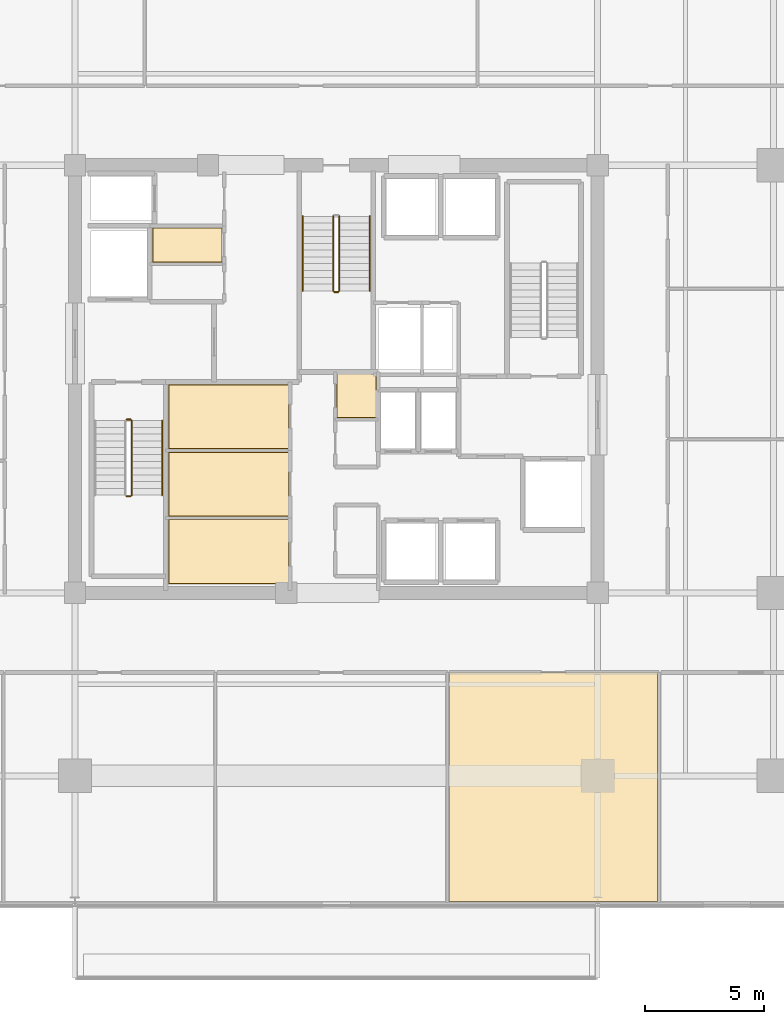
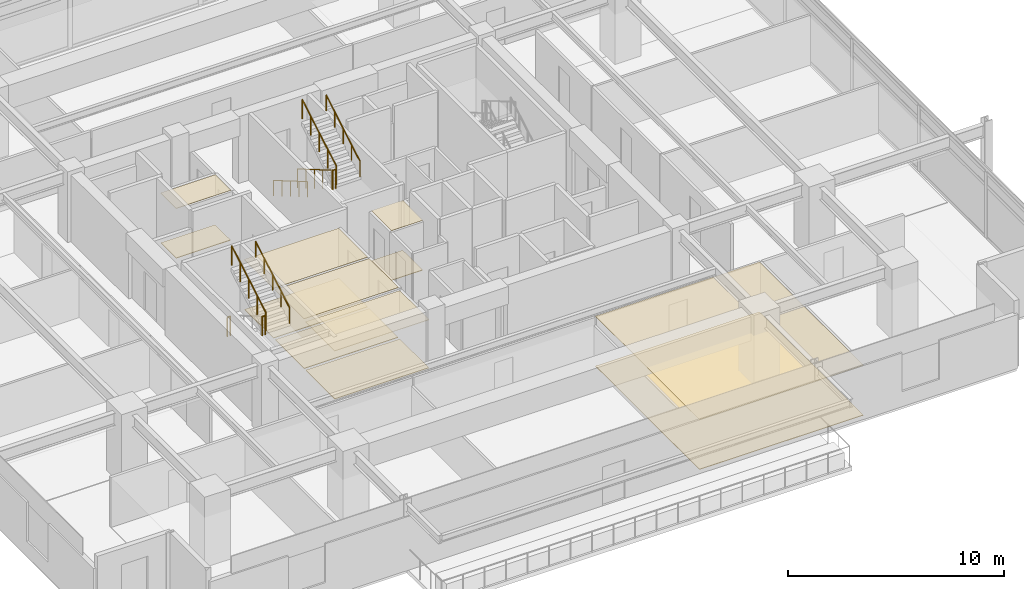
# One storey, part 20 of 23: 12 coverings, 9 railings.
"""IFC4 building model written with IfcOpenShell, lengths in metres."""

from ifc_helpers import new_model, si_unit, direction, frame, origin, origin_2d, place, context, subcontext, project, spatial, polyline, circle, outline, extrude, material, layer, layer_set, type_object, element, save


model = new_model("IFC4")

# Units and contexts
model_context = context("Model", 3, precision=1e-05, world=origin(), true_north=direction((0.0, 1.0)))
body_context = subcontext(model_context, "Body", "Model", "MODEL_VIEW")
ifc_project = project(units=[si_unit("LENGTHUNIT", "METRE"), si_unit("AREAUNIT", "SQUARE_METRE"), si_unit("VOLUMEUNIT", "CUBIC_METRE"), si_unit("PLANEANGLEUNIT", "RADIAN"), si_unit("MASSUNIT", "GRAM", prefix="KILO")], contexts=[model_context])

# Site, building, storey
site_placement = place(None, origin())
site = spatial("IfcSite", under=ifc_project, at=site_placement, CompositionType="ELEMENT")
building_placement = place(site_placement, origin())
building = spatial("IfcBuilding", under=site, at=building_placement, Name="Kovane Verandah Tower", CompositionType="ELEMENT")
storey_placement = place(building_placement, frame((0.0, 0.0, 221.199951171875)))
storey = spatial("IfcBuildingStorey", under=building, at=storey_placement, Name="L51", CompositionType="ELEMENT", Elevation=221.199951171875)

# Coverings
ifc_material_1 = material(Name="Perforated Acoustic Mineral-Fibre Ceiling Tile", Category="gypsum")
ifc_layer_1 = layer(ifc_material_1, 0.02490234375)
ifc_layer_set_1 = layer_set([ifc_layer_1], Name="Perforated Acoustic Mineral-Fibre Ceiling Tile")
covering_type_1 = type_object("IfcCoveringType", Name="CV-CEIL-25", PredefinedType="CEILING", material=ifc_layer_set_1)
covering_1_placement = place(storey_placement, frame((0.0, 0.0, 2.72998046875)))
element("IfcCovering", 1, at=covering_1_placement, inside=storey, type_object=covering_type_1, Name="L51 Project Archive Room Acoustic Ceiling", PredefinedType="CEILING", context=body_context, shape_type="SweptSolid", body=[
    extrude(outline(polyline([(32.93505859375, 18.885009765625), (37.9951171875, 18.885009765625), (37.9951171875, 21.594970703125), (32.93505859375, 21.594970703125), (32.93505859375, 18.885009765625)])), origin(), (0.0, 0.0, 1.0), 0.025146484375),
])
covering_2_placement = place(storey_placement, frame((0.0, 0.0, 2.824951171875)))
element("IfcCovering", 2, at=covering_2_placement, inside=storey, type_object=covering_type_1, Name="L51 First Aid and Wellness Room Acoustic Ceiling", PredefinedType="CEILING", context=body_context, shape_type="SweptSolid", body=[
    extrude(outline(polyline([(32.93505859375, 21.72509765625), (37.9951171875, 21.72509765625), (37.9951171875, 24.43505859375), (32.93505859375, 24.43505859375), (32.93505859375, 21.72509765625)])), origin(), (0.0, 0.0, 1.0), 0.025146484375),
])
covering_3_placement = place(storey_placement, frame((0.0, 0.0, 2.824951171875)))
element("IfcCovering", 3, at=covering_3_placement, inside=storey, type_object=covering_type_1, Name="L51 Tea and Copy Hub Acoustic Ceiling", PredefinedType="CEILING", context=body_context, shape_type="SweptSolid", body=[
    extrude(outline(polyline([(32.93505859375, 24.56494140625), (37.9951171875, 24.56494140625), (37.9951171875, 27.264892578125), (32.93505859375, 27.264892578125), (32.93505859375, 24.56494140625)])), origin(), (0.0, 0.0, 1.0), 0.025146484375),
])
covering_4_placement = place(storey_placement, frame((0.0, 0.0, 2.824951171875)))
element("IfcCovering", 4, at=covering_4_placement, inside=storey, type_object=covering_type_1, Name="L51 North-West First Aid Room Acoustic Ceiling", PredefinedType="CEILING", context=body_context, shape_type="SweptSolid", body=[
    extrude(outline(polyline([(32.264892578125, 32.4150390625), (35.195068359375, 32.4150390625), (35.195068359375, 33.864990234375), (32.264892578125, 33.864990234375), (32.264892578125, 32.4150390625)])), origin(), (0.0, 0.0, 1.0), 0.025146484375),
])
covering_5_placement = place(storey_placement, frame((0.0, 0.0, 2.824951171875)))
element("IfcCovering", 5, at=covering_5_placement, inside=storey, type_object=covering_type_1, Name="L51 Central First Aid and Wellness Room Acoustic Ceiling", PredefinedType="CEILING", context=body_context, shape_type="SweptSolid", body=[
    extrude(outline(polyline([(40.0048828125, 25.864990234375), (41.695068359375, 25.864990234375), (41.695068359375, 27.735107421875), (40.0048828125, 27.735107421875), (40.0048828125, 25.864990234375)])), origin(), (0.0, 0.0, 1.0), 0.025146484375),
])
covering_6_placement = place(storey_placement, frame((0.0, 0.0, 2.824951171875)))
element("IfcCovering", 6, at=covering_6_placement, inside=storey, type_object=covering_type_1, Name="L51 Open Plan Office S4 Acoustic Ceiling", PredefinedType="CEILING", context=body_context, shape_type="SweptSolid", body=[
    extrude(outline(polyline([(44.740966796875, 5.509521484375), (53.51806640625, 5.509521484375), (53.51806640625, 15.14990234375), (44.740966796875, 15.14990234375), (44.740966796875, 5.509521484375)])), origin(), (0.0, 0.0, 1.0), 0.025146484375),
])
ifc_material_2 = material(Name="Polished Terrazzo and Raised-Access Carpet Tile Finish", Category="concrete")
ifc_layer_2 = layer(ifc_material_2, 0.030029296875)
ifc_layer_set_2 = layer_set([ifc_layer_2], Name="Polished Terrazzo and Raised-Access Carpet Tile Finish")
covering_type_2 = type_object("IfcCoveringType", Name="CV-FLOR-30", PredefinedType="FLOORING", material=ifc_layer_set_2)
covering_7_placement = place(storey_placement, origin())
element("IfcCovering", 7, at=covering_7_placement, inside=storey, type_object=covering_type_2, Name="L51 Project Archive Room Floor Finish", PredefinedType="FLOORING", context=body_context, shape_type="SweptSolid", body=[
    extrude(outline(polyline([(32.949951171875, 18.89990234375), (37.97998046875, 18.89990234375), (37.97998046875, 21.580078125), (32.949951171875, 21.580078125), (32.949951171875, 18.89990234375)])), origin(), (0.0, 0.0, 1.0), 0.030029296875),
])
covering_8_placement = place(storey_placement, origin())
element("IfcCovering", 8, at=covering_8_placement, inside=storey, type_object=covering_type_2, Name="L51 First Aid and Wellness Room Floor Finish", PredefinedType="FLOORING", context=body_context, shape_type="SweptSolid", body=[
    extrude(outline(polyline([(32.949951171875, 21.739990234375), (37.97998046875, 21.739990234375), (37.97998046875, 24.419921875), (32.949951171875, 24.419921875), (32.949951171875, 21.739990234375)])), origin(), (0.0, 0.0, 1.0), 0.030029296875),
])
covering_9_placement = place(storey_placement, origin())
element("IfcCovering", 9, at=covering_9_placement, inside=storey, type_object=covering_type_2, Name="L51 Tea and Copy Hub Floor Finish", PredefinedType="FLOORING", context=body_context, shape_type="SweptSolid", body=[
    extrude(outline(polyline([(32.949951171875, 24.580078125), (37.97998046875, 24.580078125), (37.97998046875, 27.25), (32.949951171875, 27.25), (32.949951171875, 24.580078125)])), origin(), (0.0, 0.0, 1.0), 0.030029296875),
])
covering_10_placement = place(storey_placement, origin())
element("IfcCovering", 10, at=covering_10_placement, inside=storey, type_object=covering_type_2, Name="L51 North-West First Aid Room Floor Finish", PredefinedType="FLOORING", context=body_context, shape_type="SweptSolid", body=[
    extrude(outline(polyline([(32.280029296875, 32.429931640625), (35.179931640625, 32.429931640625), (35.179931640625, 33.85009765625), (32.280029296875, 33.85009765625), (32.280029296875, 32.429931640625)])), origin(), (0.0, 0.0, 1.0), 0.030029296875),
])
covering_11_placement = place(storey_placement, origin())
element("IfcCovering", 11, at=covering_11_placement, inside=storey, type_object=covering_type_2, Name="L51 Central First Aid and Wellness Room Floor Finish", PredefinedType="FLOORING", context=body_context, shape_type="SweptSolid", body=[
    extrude(outline(polyline([(40.02001953125, 25.8798828125), (41.679931640625, 25.8798828125), (41.679931640625, 27.719970703125), (40.02001953125, 27.719970703125), (40.02001953125, 25.8798828125)])), origin(), (0.0, 0.0, 1.0), 0.030029296875),
])
covering_12_placement = place(storey_placement, origin())
element("IfcCovering", 12, at=covering_12_placement, inside=storey, type_object=covering_type_2, Name="L51 Open Plan Office S4 Floor Finish", PredefinedType="FLOORING", context=body_context, shape_type="SweptSolid", body=[
    extrude(outline(polyline([(44.740966796875, 5.509521484375), (53.51806640625, 5.509521484375), (53.51806640625, 15.14990234375), (44.740966796875, 15.14990234375), (44.740966796875, 5.509521484375)])), origin(), (0.0, 0.0, 1.0), 0.030029296875),
])

# Railings
ifc_material_3 = material(Name="Brushed Stainless Steel Handrail", Category="steel")
railing_type_1 = type_object("IfcRailingType", Name="RL-HAND-920", PredefinedType="HANDRAIL", material=ifc_material_3)
railing_1_placement = place(storey_placement, frame((32.669921875, 22.614990234375, 2.166748046875)))
element("IfcRailing", 13, at=railing_1_placement, inside=storey, type_object=railing_type_1, Name="L51 ST-01 stair handrail 2", PredefinedType="HANDRAIL", context=body_context, shape_type="SweptSolid", body=[
    extrude(circle(Radius=0.02392578125, at=origin_2d()), frame((0.0, 0.0, 0.8759765625), z_axis=(0.0, 0.863239559939, 0.504794475164), x_axis=(-1.0, 0.0, 0.0)), (0.0, 0.0, 1.0), 3.631591796875),
    extrude(circle(Radius=0.02099609375, at=origin_2d()), origin(), (0.0, 0.0, 1.0), 0.851806640625),
    extrude(circle(Radius=0.02099609375, at=origin_2d()), frame((0.0, 0.78369140625, 0.458251953125)), (0.0, 0.0, 1.0), 0.851806640625),
    extrude(circle(Radius=0.02099609375, at=origin_2d()), frame((0.0, 1.5673828125, 0.91650390625)), (0.0, 0.0, 1.0), 0.851806640625),
    extrude(circle(Radius=0.02099609375, at=origin_2d()), frame((0.0, 2.351318359375, 1.375)), (0.0, 0.0, 1.0), 0.851806640625),
    extrude(circle(Radius=0.02099609375, at=origin_2d()), frame((0.0, 3.135009765625, 1.833251953125)), (0.0, 0.0, 1.0), 0.851806640625),
])
railing_2_placement = place(storey_placement, frame((38.590087890625, 34.35009765625, 0.166748046875)))
element("IfcRailing", 14, at=railing_2_placement, inside=storey, type_object=railing_type_1, Name="L51 ST-03 stair handrail 1", PredefinedType="HANDRAIL", context=body_context, shape_type="SweptSolid", body=[
    extrude(circle(Radius=0.02392578125, at=origin_2d()), frame((0.0, 0.0, 0.8759765625), z_axis=(0.0, -0.863239559939, 0.504794475164), x_axis=(1.0, 0.0, 0.0)), (0.0, 0.0, 1.0), 3.631591796875),
    extrude(circle(Radius=0.02099609375, at=origin_2d()), origin(), (0.0, 0.0, 1.0), 0.851806640625),
    extrude(circle(Radius=0.02099609375, at=origin_2d()), frame((0.0, -0.78369140625, 0.458251953125)), (0.0, 0.0, 1.0), 0.851806640625),
    extrude(circle(Radius=0.02099609375, at=origin_2d()), frame((0.0, -1.5673828125, 0.91650390625)), (0.0, 0.0, 1.0), 0.851806640625),
    extrude(circle(Radius=0.02099609375, at=origin_2d()), frame((0.0, -2.351318359375, 1.375)), (0.0, 0.0, 1.0), 0.851806640625),
    extrude(circle(Radius=0.02099609375, at=origin_2d()), frame((0.0, -3.135009765625, 1.833251953125)), (0.0, 0.0, 1.0), 0.851806640625),
])
railing_3_placement = place(storey_placement, frame((41.409912109375, 31.215087890625, 2.166748046875)))
element("IfcRailing", 15, at=railing_3_placement, inside=storey, type_object=railing_type_1, Name="L51 ST-03 stair handrail 2", PredefinedType="HANDRAIL", context=body_context, shape_type="SweptSolid", body=[
    extrude(circle(Radius=0.02392578125, at=origin_2d()), frame((0.0, 0.0, 0.8759765625), z_axis=(0.0, 0.863239559939, 0.504794475164), x_axis=(-1.0, 0.0, 0.0)), (0.0, 0.0, 1.0), 3.631591796875),
    extrude(circle(Radius=0.02099609375, at=origin_2d()), origin(), (0.0, 0.0, 1.0), 0.851806640625),
    extrude(circle(Radius=0.02099609375, at=origin_2d()), frame((0.0, 0.78369140625, 0.458251953125)), (0.0, 0.0, 1.0), 0.851806640625),
    extrude(circle(Radius=0.02099609375, at=origin_2d()), frame((0.0, 1.5673828125, 0.91650390625)), (0.0, 0.0, 1.0), 0.851806640625),
    extrude(circle(Radius=0.02099609375, at=origin_2d()), frame((0.0, 2.351318359375, 1.375)), (0.0, 0.0, 1.0), 0.851806640625),
    extrude(circle(Radius=0.02099609375, at=origin_2d()), frame((0.0, 3.135009765625, 1.833251953125)), (0.0, 0.0, 1.0), 0.851806640625),
])
ifc_material_4 = material(Name="Painted Steel Stairwell Guardrail", Category="steel")
railing_type_2 = type_object("IfcRailingType", Name="RL-STGUARD-1120", PredefinedType="GUARDRAIL", material=ifc_material_4)
railing_4_placement = place(storey_placement, frame((31.179931640625, 22.56494140625, 2.0)))
element("IfcRailing", 16, at=railing_4_placement, inside=storey, type_object=railing_type_2, Name="L51 ST-01 stair guard 2", PredefinedType="GUARDRAIL", context=body_context, shape_type="SweptSolid", body=[
    extrude(circle(Radius=0.02392578125, at=origin_2d()), frame((0.0, 0.0, 1.076171875), z_axis=(1.0, 0.0, 0.0), x_axis=(0.0, 1.0, 0.0)), (0.0, 0.0, 1.0), 0.16015625),
    extrude(circle(Radius=0.02099609375, at=origin_2d()), origin(), (0.0, 0.0, 1.0), 1.052001953125),
    extrude(circle(Radius=0.02099609375, at=origin_2d()), frame((0.16015625, 0.0, 0.0)), (0.0, 0.0, 1.0), 1.052001953125),
])
railing_5_placement = place(storey_placement, frame((31.389892578125, 22.614990234375, 2.166748046875)))
element("IfcRailing", 17, at=railing_5_placement, inside=storey, type_object=railing_type_2, Name="L51 ST-01 stair guard 3", PredefinedType="GUARDRAIL", context=body_context, shape_type="SweptSolid", body=[
    extrude(circle(Radius=0.02392578125, at=origin_2d()), frame((0.0, 0.0, 1.076171875), z_axis=(0.0, 0.863239559939, 0.504794475164), x_axis=(-1.0, 0.0, 0.0)), (0.0, 0.0, 1.0), 3.631591796875),
    extrude(circle(Radius=0.02099609375, at=origin_2d()), origin(), (0.0, 0.0, 1.0), 1.052001953125),
    extrude(circle(Radius=0.02099609375, at=origin_2d()), frame((0.0, 0.78369140625, 0.458251953125)), (0.0, 0.0, 1.0), 1.052001953125),
    extrude(circle(Radius=0.02099609375, at=origin_2d()), frame((0.0, 1.5673828125, 0.91650390625)), (0.0, 0.0, 1.0), 1.052001953125),
    extrude(circle(Radius=0.02099609375, at=origin_2d()), frame((0.0, 2.351318359375, 1.375)), (0.0, 0.0, 1.0), 1.052001953125),
    extrude(circle(Radius=0.02099609375, at=origin_2d()), frame((0.0, 3.135009765625, 1.833251953125)), (0.0, 0.0, 1.0), 1.052001953125),
])
railing_6_placement = place(storey_placement, frame((31.179931640625, 25.800048828125, 0.0)))
element("IfcRailing", 18, at=railing_6_placement, inside=storey, type_object=railing_type_2, Name="L51 ST-01 stair guard 4", PredefinedType="GUARDRAIL", context=body_context, shape_type="SweptSolid", body=[
    extrude(circle(Radius=0.02392578125, at=origin_2d()), frame((0.0, 0.0, 1.076171875), z_axis=(1.0, 0.0, 0.0), x_axis=(0.0, 1.0, 0.0)), (0.0, 0.0, 1.0), 0.16015625),
    extrude(circle(Radius=0.02099609375, at=origin_2d()), origin(), (0.0, 0.0, 1.0), 1.052001953125),
    extrude(circle(Radius=0.02099609375, at=origin_2d()), frame((0.16015625, 0.0, 0.0)), (0.0, 0.0, 1.0), 1.052001953125),
])
railing_7_placement = place(storey_placement, frame((39.8701171875, 34.35009765625, 0.166748046875)))
element("IfcRailing", 19, at=railing_7_placement, inside=storey, type_object=railing_type_2, Name="L51 ST-03 stair guard 1", PredefinedType="GUARDRAIL", context=body_context, shape_type="SweptSolid", body=[
    extrude(circle(Radius=0.02392578125, at=origin_2d()), frame((0.0, 0.0, 1.076171875), z_axis=(0.0, -0.863239559939, 0.504794475164), x_axis=(1.0, 0.0, 0.0)), (0.0, 0.0, 1.0), 3.631591796875),
    extrude(circle(Radius=0.02099609375, at=origin_2d()), origin(), (0.0, 0.0, 1.0), 1.052001953125),
    extrude(circle(Radius=0.02099609375, at=origin_2d()), frame((0.0, -0.78369140625, 0.458251953125)), (0.0, 0.0, 1.0), 1.052001953125),
    extrude(circle(Radius=0.02099609375, at=origin_2d()), frame((0.0, -1.5673828125, 0.91650390625)), (0.0, 0.0, 1.0), 1.052001953125),
    extrude(circle(Radius=0.02099609375, at=origin_2d()), frame((0.0, -2.351318359375, 1.375)), (0.0, 0.0, 1.0), 1.052001953125),
    extrude(circle(Radius=0.02099609375, at=origin_2d()), frame((0.0, -3.135009765625, 1.833251953125)), (0.0, 0.0, 1.0), 1.052001953125),
])
railing_8_placement = place(storey_placement, frame((39.919921875, 31.1650390625, 2.0)))
element("IfcRailing", 20, at=railing_8_placement, inside=storey, type_object=railing_type_2, Name="L51 ST-03 stair guard 2", PredefinedType="GUARDRAIL", context=body_context, shape_type="SweptSolid", body=[
    extrude(circle(Radius=0.02392578125, at=origin_2d()), frame((0.0, 0.0, 1.076171875), z_axis=(1.0, 0.0, 0.0), x_axis=(0.0, 1.0, 0.0)), (0.0, 0.0, 1.0), 0.16015625),
    extrude(circle(Radius=0.02099609375, at=origin_2d()), origin(), (0.0, 0.0, 1.0), 1.052001953125),
    extrude(circle(Radius=0.02099609375, at=origin_2d()), frame((0.16015625, 0.0, 0.0)), (0.0, 0.0, 1.0), 1.052001953125),
])
railing_9_placement = place(storey_placement, frame((40.1298828125, 31.215087890625, 2.166748046875)))
element("IfcRailing", 21, at=railing_9_placement, inside=storey, type_object=railing_type_2, Name="L51 ST-03 stair guard 3", PredefinedType="GUARDRAIL", context=body_context, shape_type="SweptSolid", body=[
    extrude(circle(Radius=0.02392578125, at=origin_2d()), frame((0.0, 0.0, 1.076171875), z_axis=(0.0, 0.863239559939, 0.504794475164), x_axis=(-1.0, 0.0, 0.0)), (0.0, 0.0, 1.0), 3.631591796875),
    extrude(circle(Radius=0.02099609375, at=origin_2d()), origin(), (0.0, 0.0, 1.0), 1.052001953125),
    extrude(circle(Radius=0.02099609375, at=origin_2d()), frame((0.0, 0.78369140625, 0.458251953125)), (0.0, 0.0, 1.0), 1.052001953125),
    extrude(circle(Radius=0.02099609375, at=origin_2d()), frame((0.0, 1.5673828125, 0.91650390625)), (0.0, 0.0, 1.0), 1.052001953125),
    extrude(circle(Radius=0.02099609375, at=origin_2d()), frame((0.0, 2.351318359375, 1.375)), (0.0, 0.0, 1.0), 1.052001953125),
    extrude(circle(Radius=0.02099609375, at=origin_2d()), frame((0.0, 3.135009765625, 1.833251953125)), (0.0, 0.0, 1.0), 1.052001953125),
])

save(model, "model.ifc")
